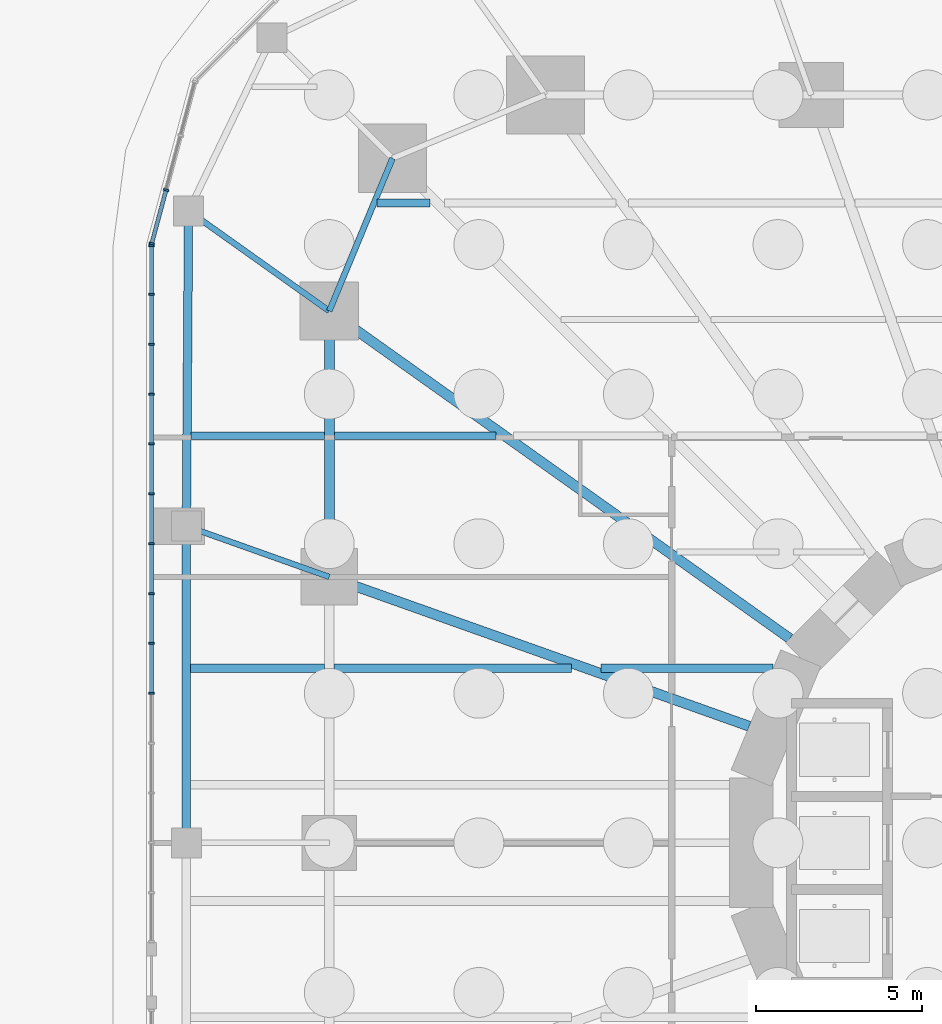
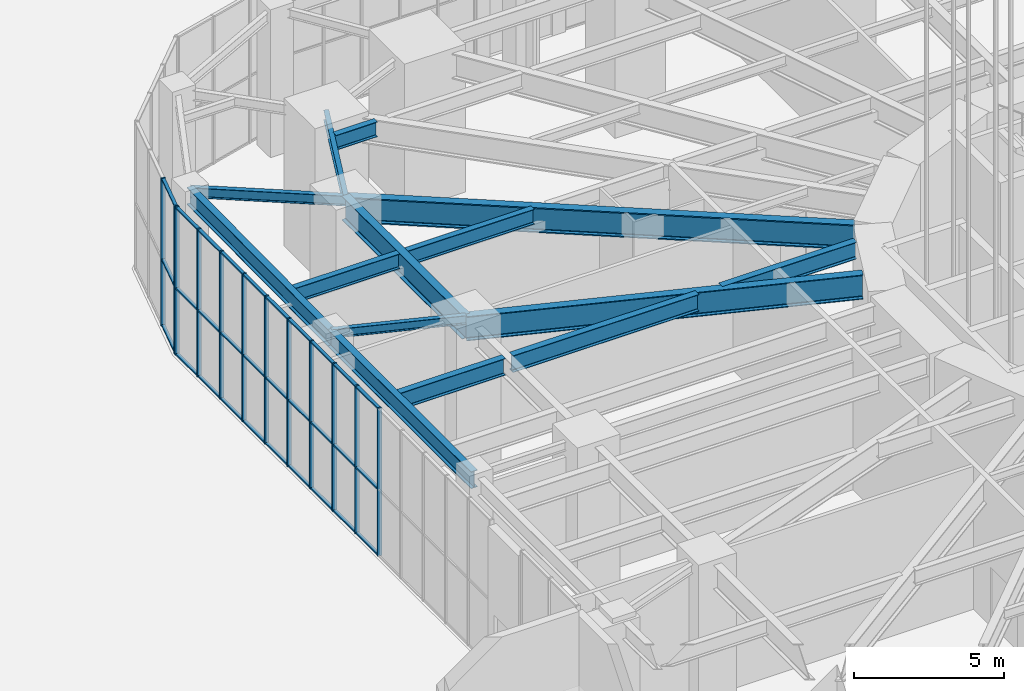
# One storey, part 12 of 43: 42 members, 14 beams, 2 elements without a shape of their own.
"""IFC4 building model written with IfcOpenShell, lengths in metres."""

import ifcopenshell
import ifcopenshell.guid

model = None  # the IFC model being written
_history = None  # IfcOwnerHistory: only IFC2X3 demands one
_inside = {}  # id of a spatial element -> (the spatial element, [elements in it])
_under = {}  # id of a project, library or spatial element -> (it, [spatial elements below it])
_declared = {}  # id of a project -> (the project, [libraries it declares])
_typed = {}  # id of a type object -> (the type object, [elements of that type])
_made_of = {}  # id of a material, layer set ... -> (it, [elements and type objects made of it])


def new_model(schema):
    """Start an empty IFC model of exactly this schema.

    Asked for "IFC4X3", IfcOpenShell would pick the latest addendum, in which some entities
    have other attributes; the version numbers below select the first issue.
    IFC2X3 requires an IfcOwnerHistory on every rooted entity: one is made here for all.
    """
    global model, _history
    if schema == "IFC4X3":
        model = ifcopenshell.file(schema_version=(4, 3, 0, 0))
    else:
        model = ifcopenshell.file(schema=schema)
    _inside.clear()
    _under.clear()
    _declared.clear()
    _typed.clear()
    _made_of.clear()
    _history = None
    if model.schema == "IFC2X3":
        org = make("IfcOrganization", Name="unknown")
        user = make(
            "IfcPersonAndOrganization",
            ThePerson=make("IfcPerson", FamilyName="unknown"),
            TheOrganization=org,
        )
        app = make(
            "IfcApplication",
            ApplicationDeveloper=org,
            Version="unknown",
            ApplicationFullName="unknown",
            ApplicationIdentifier="unknown",
        )
        _history = make(
            "IfcOwnerHistory",
            OwningUser=user,
            OwningApplication=app,
            ChangeAction="ADDED",
            CreationDate=0,
        )
    return model


def make(cls, **values):
    """One entity of the class cls with the attributes given. An attribute that is None is left unset."""
    return model.create_entity(
        cls, **{name: value for name, value in values.items() if value is not None}
    )


def rooted(cls, **values):
    """An entity with a GlobalId (a new one), such as an element, a storey or a relation."""
    return make(cls, GlobalId=ifcopenshell.guid.new(), OwnerHistory=_history, **values)


def si_unit(unit_type, name, prefix=None):
    """IfcSIUnit, for example si_unit("LENGTHUNIT", "METRE", prefix="MILLI")."""
    return make("IfcSIUnit", UnitType=unit_type, Prefix=prefix, Name=name)


def assignment(units):
    """IfcUnitAssignment: the units of a project."""
    return None if units is None else make("IfcUnitAssignment", Units=units)


def point(xyz):
    """IfcCartesianPoint."""
    return None if xyz is None else make("IfcCartesianPoint", Coordinates=xyz)


def direction(xyz):
    """IfcDirection."""
    return None if xyz is None else make("IfcDirection", DirectionRatios=xyz)


def frame(location, z_axis=None, x_axis=None):
    """IfcAxis2Placement3D, a coordinate frame: its origin and axes. An axis left out is left unset."""
    return make(
        "IfcAxis2Placement3D",
        Location=point(location),
        Axis=direction(z_axis),
        RefDirection=direction(x_axis),
    )


def frame_2d(location, x_axis=None):
    """IfcAxis2Placement2D, a coordinate frame in the plane: its origin and x axis."""
    return make(
        "IfcAxis2Placement2D", Location=point(location), RefDirection=direction(x_axis)
    )


def origin():
    """The frame at (0, 0, 0) with its axes left unset."""
    return frame((0.0, 0.0, 0.0))


def origin_2d():
    """The frame at (0, 0) in the plane with its x axis left unset."""
    return frame_2d((0.0, 0.0))


def place(relative_to, where):
    """IfcLocalPlacement: puts the frame where relative to a parent placement (None: the world)."""
    return make(
        "IfcLocalPlacement", PlacementRelTo=relative_to, RelativePlacement=where
    )


def context(
    kind, dimensions, precision=None, world=None, true_north=None, identifier=None
):
    """IfcGeometricRepresentationContext, for example the 3D "Model" context."""
    return make(
        "IfcGeometricRepresentationContext",
        ContextIdentifier=identifier,
        ContextType=kind,
        CoordinateSpaceDimension=dimensions,
        Precision=precision,
        WorldCoordinateSystem=world,
        TrueNorth=true_north,
    )


def subcontext(parent, identifier, kind, view, scale=None):
    """IfcGeometricRepresentationSubContext, for example "Body" below "Model"."""
    return make(
        "IfcGeometricRepresentationSubContext",
        ContextIdentifier=identifier,
        ContextType=kind,
        ParentContext=parent,
        TargetScale=scale,
        TargetView=view,
    )


def project(units=None, contexts=None):
    """IfcProject with its units and contexts."""
    return rooted(
        "IfcProject",
        Name="project",
        RepresentationContexts=contexts,
        UnitsInContext=assignment(units),
    )


def spatial(cls, under=None, at=None, **own):
    """A site, building, storey or space (cls), placed at a placement, below another one or the project."""
    s = rooted(cls, ObjectPlacement=at, **own)
    if under is not None:
        _under.setdefault(under.id(), (under, []))[1].append(s)
    return s


def profile(cls, at=None, kind="AREA", **sizes):
    """A parametric profile (cls). Its sizes go by their IFC names, for example OverallWidth=200.0."""
    return make(cls, ProfileType=kind, Position=at, **sizes)


def rectangle(**sizes):
    """IfcRectangleProfileDef."""
    return profile("IfcRectangleProfileDef", **sizes)


def i_section(**sizes):
    """IfcIShapeProfileDef."""
    return profile("IfcIShapeProfileDef", **sizes)


def extrude(swept, where, along, depth):
    """IfcExtrudedAreaSolid: the profile swept, set in the frame where, extruded along a direction by depth."""
    return make(
        "IfcExtrudedAreaSolid",
        SweptArea=swept,
        Position=where,
        ExtrudedDirection=direction(along),
        Depth=depth,
    )


def shape(context_of_items, identifier, shape_type, items):
    """IfcShapeRepresentation: the items that make up one representation, for example the "Body"."""
    return make(
        "IfcShapeRepresentation",
        ContextOfItems=context_of_items,
        RepresentationIdentifier=identifier,
        RepresentationType=shape_type,
        Items=items,
    )


def material(Name=None, Category=None):
    """IfcMaterial."""
    return make("IfcMaterial", Name=Name, Category=Category)


def material_profile(
    of_material, cross_section, Name=None, Category=None, Priority=None
):
    """IfcMaterialProfile: a cross section and its material."""
    return make(
        "IfcMaterialProfile",
        Name=Name,
        Material=of_material,
        Profile=cross_section,
        Priority=Priority,
        Category=Category,
    )


def profile_set(profiles, Name=None, composite=None):
    """IfcMaterialProfileSet."""
    return make(
        "IfcMaterialProfileSet",
        Name=Name,
        MaterialProfiles=profiles,
        CompositeProfile=composite,
    )


def made_of(thing, what):
    """Note that an element or type object is made of a material, layer set ...; save() writes the relation."""
    if what is not None:
        _made_of.setdefault(what.id(), (what, []))[1].append(thing)
    return thing


def type_object(cls, material=None, **own):
    """A type object (cls), such as IfcWallType, which elements share."""
    return made_of(rooted(cls, **own), material)


def element(
    cls,
    number,
    at=None,
    inside=None,
    cuts=None,
    type_object=None,
    material=None,
    context=None,
    identifier="Body",
    shape_type=None,
    held_by="IfcProductDefinitionShape",
    body=None,
    shapes=None,
    **own,
):
    """One element of the class cls, such as IfcWall. Its Tag is "e" and its number.

    at: its placement. inside: the storey or other place that contains it. cuts: it is an
    opening in that element (IfcRelVoidsElement). A single representation is given by context,
    identifier, shape_type and body (its items); several are given by shapes. held_by: the class
    of the entity that holds the representations. save() writes the other relations.
    """
    e = rooted(cls, Tag="e%d" % number, ObjectPlacement=at, **own)
    if body is not None:
        shapes = [shape(context, identifier, shape_type, body)]
    if shapes is not None:
        e.Representation = make(held_by, Representations=shapes)
    if inside is not None:
        _inside.setdefault(inside.id(), (inside, []))[1].append(e)
    if cuts is not None:
        rooted(
            "IfcRelVoidsElement", RelatingBuildingElement=cuts, RelatedOpeningElement=e
        )
    if type_object is not None:
        _typed.setdefault(type_object.id(), (type_object, []))[1].append(e)
    return made_of(e, material)


def aggregate(whole, parts):
    """IfcRelAggregates: a whole, such as a stair, and the parts it consists of."""
    return rooted("IfcRelAggregates", RelatingObject=whole, RelatedObjects=parts)


def save(model, path):
    """Write the relations noted so far, then the file.

    IfcRelAggregates (storeys below a building ...), IfcRelContainedInSpatialStructure (elements
    in a storey), IfcRelDefinesByType, IfcRelAssociatesMaterial and IfcRelDeclares: one each for
    every whole, place, type object, material and project.
    """
    for whole, parts in _under.values():
        aggregate(whole, parts)
    for where, things in _inside.values():
        rooted(
            "IfcRelContainedInSpatialStructure",
            RelatedElements=things,
            RelatingStructure=where,
        )
    for kind, things in _typed.values():
        rooted("IfcRelDefinesByType", RelatedObjects=things, RelatingType=kind)
    for what, things in _made_of.values():
        rooted("IfcRelAssociatesMaterial", RelatedObjects=things, RelatingMaterial=what)
    for by, libraries in _declared.values():
        rooted("IfcRelDeclares", RelatingContext=by, RelatedDefinitions=libraries)
    model.write(path)


model = new_model("IFC4")

# Units and contexts
model_context = context("Model", 3, precision=1e-05, world=origin(), true_north=direction((0.0, 1.0)))
body_context = subcontext(model_context, "Body", "Model", "MODEL_VIEW")
ifc_project = project(units=[si_unit("LENGTHUNIT", "METRE"), si_unit("AREAUNIT", "SQUARE_METRE"), si_unit("VOLUMEUNIT", "CUBIC_METRE"), si_unit("PLANEANGLEUNIT", "RADIAN"), si_unit("MASSUNIT", "GRAM", prefix="KILO")], contexts=[model_context])

# Site, building, storey
site_placement = place(None, origin())
site = spatial("IfcSite", under=ifc_project, at=site_placement, CompositionType="ELEMENT")
building_placement = place(site_placement, origin())
building = spatial("IfcBuilding", under=site, at=building_placement, Name="Nakasero Lantern House", CompositionType="ELEMENT")
storey_placement = place(building_placement, origin())
storey = spatial("IfcBuildingStorey", under=building, at=storey_placement, Name="L00", CompositionType="ELEMENT", Elevation=0.0)

# Beams
ifc_material_1 = material(Name="Steel S355", Category="steel")
ifc_material_profile_1 = material_profile(ifc_material_1, i_section(OverallWidth=0.22900390625, OverallDepth=0.6123046875, WebThickness=0.011962890625, FlangeThickness=0.01953125, FilletRadius=0.0126953125, at=origin_2d()), Name="UB 610x229x125")
ifc_profile_set_1 = profile_set([ifc_material_profile_1], Name="Steel S355")
beam_type_1 = type_object("IfcBeamType", Name="Infill beam UB 610x229x125", PredefinedType="JOIST", material=ifc_profile_set_1)
beam_1_placement = place(storey_placement, frame((-26.653076171875, 12.25, 5.493896484375), z_axis=(1.0, 0.0, 0.0), x_axis=(0.0, 1.0, 0.0)))
element("IfcBeam", 1, at=beam_1_placement, inside=storey, type_object=beam_type_1, Name="Infill beam L01 12.1", PredefinedType="JOIST", context=body_context, shape_type="SweptSolid", body=[
    extrude(i_section(OverallWidth=0.22900390625, OverallDepth=0.6123046875, WebThickness=0.011962890625, FlangeThickness=0.01953125, FilletRadius=0.0126953125, at=origin_2d()), origin(), (0.0, 0.0, 1.0), 4.003173828125),
])
beam_2_placement = place(storey_placement, frame((-22.35009765625, 12.25, 5.493896484375), z_axis=(1.0, 0.0, 0.0), x_axis=(0.0, 1.0, 0.0)))
element("IfcBeam", 2, at=beam_2_placement, inside=storey, type_object=beam_type_1, Name="Infill beam L01 12.2", PredefinedType="JOIST", context=body_context, shape_type="SweptSolid", body=[
    extrude(i_section(OverallWidth=0.22900390625, OverallDepth=0.6123046875, WebThickness=0.011962890625, FlangeThickness=0.01953125, FilletRadius=0.0126953125, at=origin_2d()), origin(), (0.0, 0.0, 1.0), 4.862060546875),
])
beam_3_placement = place(storey_placement, frame((-21.0576171875, 19.25, 5.493896484375), z_axis=(1.0, 0.0, 0.0), x_axis=(0.0, 1.0, 0.0)))
element("IfcBeam", 3, at=beam_3_placement, inside=storey, type_object=beam_type_1, Name="Infill beam L01 14.1", PredefinedType="JOIST", context=body_context, shape_type="SweptSolid", body=[
    extrude(i_section(OverallWidth=0.22900390625, OverallDepth=0.6123046875, WebThickness=0.011962890625, FlangeThickness=0.01953125, FilletRadius=0.0126953125, at=origin_2d()), origin(), (0.0, 0.0, 1.0), 1.591552734375),
])
ifc_material_2 = material(Name="Steel S355", Category="steel")
ifc_material_profile_2 = material_profile(ifc_material_2, i_section(OverallWidth=0.253662109375, OverallDepth=0.68359375, WebThickness=0.012451171875, FlangeThickness=0.01904296875, FilletRadius=0.01513671875, at=origin_2d()), Name="UB 686x254x140")
ifc_profile_set_2 = profile_set([ifc_material_profile_2], Name="Steel S355")
beam_type_2 = type_object("IfcBeamType", Name="Infill beam UB 686x254x140", PredefinedType="JOIST", material=ifc_profile_set_2)
beam_4_placement = place(storey_placement, frame((-26.672119140625, 5.25, 5.458251953125), z_axis=(1.0, 0.0, 0.0), x_axis=(0.0, 1.0, 0.0)))
element("IfcBeam", 4, at=beam_4_placement, inside=storey, type_object=beam_type_2, Name="Infill beam L01 10.1", PredefinedType="JOIST", context=body_context, shape_type="SweptSolid", body=[
    extrude(i_section(OverallWidth=0.253662109375, OverallDepth=0.68359375, WebThickness=0.012451171875, FlangeThickness=0.01904296875, FilletRadius=0.01513671875, at=origin_2d()), origin(), (0.0, 0.0, 1.0), 4.02587890625),
])
beam_5_placement = place(storey_placement, frame((-22.353759765625, 5.25, 5.458251953125), z_axis=(1.0, 0.0, 0.0), x_axis=(0.0, 1.0, 0.0)))
element("IfcBeam", 5, at=beam_5_placement, inside=storey, type_object=beam_type_2, Name="Infill beam L01 10.2", PredefinedType="JOIST", context=body_context, shape_type="SweptSolid", body=[
    extrude(i_section(OverallWidth=0.253662109375, OverallDepth=0.68359375, WebThickness=0.012451171875, FlangeThickness=0.01904296875, FilletRadius=0.01513671875, at=origin_2d()), origin(), (0.0, 0.0, 1.0), 7.140380859375),
])
beam_6_placement = place(storey_placement, frame((-14.31787109375, 5.25, 5.458251953125), z_axis=(1.0, 0.0, 0.0), x_axis=(0.0, 1.0, 0.0)))
element("IfcBeam", 6, at=beam_6_placement, inside=storey, type_object=beam_type_2, Name="Infill beam L01 10.3", PredefinedType="JOIST", context=body_context, shape_type="SweptSolid", body=[
    extrude(i_section(OverallWidth=0.253662109375, OverallDepth=0.68359375, WebThickness=0.012451171875, FlangeThickness=0.01904296875, FilletRadius=0.01513671875, at=origin_2d()), origin(), (0.0, 0.0, 1.0), 5.173095703125),
])

# Curtain wall, members
ifc_material_3 = material(Name="Aluminium 6063-T6 and glass", Category="aluminium")
curtain_wall_type = type_object("IfcCurtainWallType", Name="Podium shopfront glazing CW-1", PredefinedType="USERDEFINED", material=ifc_material_3)
curtain_wall_1_placement = place(storey_placement, origin())
curtain_wall_1 = element("IfcCurtainWall", 7, at=curtain_wall_1_placement, inside=storey, type_object=curtain_wall_type, Name="Curtain wall CW-1 L00", ObjectType="STICK CURTAIN WALL", PredefinedType="USERDEFINED")
ifc_material_4 = material(Name="Aluminium 6063-T6", Category="aluminium")
ifc_material_profile_3 = material_profile(ifc_material_4, rectangle(XDim=0.06005859375, YDim=0.159912109375, at=origin_2d()), Name="CW-1 mullion 60x160")
ifc_profile_set_3 = profile_set([ifc_material_profile_3], Name="Aluminium 6063-T6")
member_type_1 = type_object("IfcMemberType", Name="Mullion CW-1", PredefinedType="MULLION", material=ifc_profile_set_3)
member_1_placement = place(storey_placement, frame((-27.41015625, 19.6416015625, 0.0), z_axis=(0.0, 0.0, 1.0), x_axis=(-0.258819045103, -0.965925826289, 0.0)))
member_1 = element("IfcMember", 8, at=member_1_placement, type_object=member_type_1, Name="CW-1 mullion 3", PredefinedType="MULLION", context=body_context, shape_type="SweptSolid", body=[
    extrude(rectangle(XDim=0.06005859375, YDim=0.159912109375, at=origin_2d()), origin(), (0.0, 0.0, 1.0), 6.0),
])
member_2_placement = place(storey_placement, frame((-27.84228515625, 18.029052734375, 0.0), z_axis=(0.0, 0.0, 1.0), x_axis=(-0.258819045103, -0.965925826289, 0.0)))
member_2 = element("IfcMember", 9, at=member_2_placement, type_object=member_type_1, Name="CW-1 mullion 4", PredefinedType="MULLION", context=body_context, shape_type="SweptSolid", body=[
    extrude(rectangle(XDim=0.06005859375, YDim=0.159912109375, at=origin_2d()), origin(), (0.0, 0.0, 1.0), 6.0),
])

curtain_wall_2_placement = place(storey_placement, origin())
curtain_wall_2 = element("IfcCurtainWall", 10, at=curtain_wall_2_placement, inside=storey, type_object=curtain_wall_type, Name="Curtain wall CW-1 L00", ObjectType="STICK CURTAIN WALL", PredefinedType="USERDEFINED")
member_3_placement = place(storey_placement, frame((-27.85009765625, 17.969970703125, 0.0), z_axis=(0.0, 0.0, 1.0), x_axis=(0.0, -1.0, 0.0)))
member_3 = element("IfcMember", 11, at=member_3_placement, type_object=member_type_1, Name="CW-1 mullion 1", PredefinedType="MULLION", context=body_context, shape_type="SweptSolid", body=[
    extrude(rectangle(XDim=0.06005859375, YDim=0.159912109375, at=origin_2d()), origin(), (0.0, 0.0, 1.0), 6.0),
])
member_4_placement = place(storey_placement, frame((-27.85009765625, 16.5, 0.0), z_axis=(0.0, 0.0, 1.0), x_axis=(0.0, -1.0, 0.0)))
member_4 = element("IfcMember", 12, at=member_4_placement, type_object=member_type_1, Name="CW-1 mullion 2", PredefinedType="MULLION", context=body_context, shape_type="SweptSolid", body=[
    extrude(rectangle(XDim=0.06005859375, YDim=0.159912109375, at=origin_2d()), origin(), (0.0, 0.0, 1.0), 6.0),
])
member_5_placement = place(storey_placement, frame((-27.85009765625, 15.0, 0.0), z_axis=(0.0, 0.0, 1.0), x_axis=(0.0, -1.0, 0.0)))
member_5 = element("IfcMember", 13, at=member_5_placement, type_object=member_type_1, Name="CW-1 mullion 3", PredefinedType="MULLION", context=body_context, shape_type="SweptSolid", body=[
    extrude(rectangle(XDim=0.06005859375, YDim=0.159912109375, at=origin_2d()), origin(), (0.0, 0.0, 1.0), 6.0),
])
member_6_placement = place(storey_placement, frame((-27.85009765625, 13.5, 0.0), z_axis=(0.0, 0.0, 1.0), x_axis=(0.0, -1.0, 0.0)))
member_6 = element("IfcMember", 14, at=member_6_placement, type_object=member_type_1, Name="CW-1 mullion 4", PredefinedType="MULLION", context=body_context, shape_type="SweptSolid", body=[
    extrude(rectangle(XDim=0.06005859375, YDim=0.159912109375, at=origin_2d()), origin(), (0.0, 0.0, 1.0), 6.0),
])
member_7_placement = place(storey_placement, frame((-27.85009765625, 12.0, 0.0), z_axis=(0.0, 0.0, 1.0), x_axis=(0.0, -1.0, 0.0)))
member_7 = element("IfcMember", 15, at=member_7_placement, type_object=member_type_1, Name="CW-1 mullion 5", PredefinedType="MULLION", context=body_context, shape_type="SweptSolid", body=[
    extrude(rectangle(XDim=0.06005859375, YDim=0.159912109375, at=origin_2d()), origin(), (0.0, 0.0, 1.0), 6.0),
])
member_8_placement = place(storey_placement, frame((-27.85009765625, 10.5, 0.0), z_axis=(0.0, 0.0, 1.0), x_axis=(0.0, -1.0, 0.0)))
member_8 = element("IfcMember", 16, at=member_8_placement, type_object=member_type_1, Name="CW-1 mullion 6", PredefinedType="MULLION", context=body_context, shape_type="SweptSolid", body=[
    extrude(rectangle(XDim=0.06005859375, YDim=0.159912109375, at=origin_2d()), origin(), (0.0, 0.0, 1.0), 6.0),
])
member_9_placement = place(storey_placement, frame((-27.85009765625, 9.0, 0.0), z_axis=(0.0, 0.0, 1.0), x_axis=(0.0, -1.0, 0.0)))
member_9 = element("IfcMember", 17, at=member_9_placement, type_object=member_type_1, Name="CW-1 mullion 7", PredefinedType="MULLION", context=body_context, shape_type="SweptSolid", body=[
    extrude(rectangle(XDim=0.06005859375, YDim=0.159912109375, at=origin_2d()), origin(), (0.0, 0.0, 1.0), 6.0),
])
member_10_placement = place(storey_placement, frame((-27.85009765625, 7.5, 0.0), z_axis=(0.0, 0.0, 1.0), x_axis=(0.0, -1.0, 0.0)))
member_10 = element("IfcMember", 18, at=member_10_placement, type_object=member_type_1, Name="CW-1 mullion 8", PredefinedType="MULLION", context=body_context, shape_type="SweptSolid", body=[
    extrude(rectangle(XDim=0.06005859375, YDim=0.159912109375, at=origin_2d()), origin(), (0.0, 0.0, 1.0), 6.0),
])
member_11_placement = place(storey_placement, frame((-27.85009765625, 6.0, 0.0), z_axis=(0.0, 0.0, 1.0), x_axis=(0.0, -1.0, 0.0)))
member_11 = element("IfcMember", 19, at=member_11_placement, type_object=member_type_1, Name="CW-1 mullion 9", PredefinedType="MULLION", context=body_context, shape_type="SweptSolid", body=[
    extrude(rectangle(XDim=0.06005859375, YDim=0.159912109375, at=origin_2d()), origin(), (0.0, 0.0, 1.0), 6.0),
])
member_12_placement = place(storey_placement, frame((-27.85009765625, 4.5, 0.0), z_axis=(0.0, 0.0, 1.0), x_axis=(0.0, -1.0, 0.0)))
member_12 = element("IfcMember", 20, at=member_12_placement, type_object=member_type_1, Name="CW-1 mullion 10", PredefinedType="MULLION", context=body_context, shape_type="SweptSolid", body=[
    extrude(rectangle(XDim=0.06005859375, YDim=0.159912109375, at=origin_2d()), origin(), (0.0, 0.0, 1.0), 6.0),
])

# Beams
ifc_material_5 = material(Name="Steel S355", Category="steel")
ifc_material_profile_4 = material_profile(ifc_material_5, i_section(OverallWidth=0.300048828125, OverallDepth=0.989990234375, WebThickness=0.0166015625, FlangeThickness=0.031005859375, FilletRadius=0.030029296875, at=origin_2d()), Name="UB 1016x305x272")
ifc_profile_set_4 = profile_set([ifc_material_profile_4], Name="Steel S355")
beam_type_3 = type_object("IfcBeamType", Name="Primary beam UB 1016x305x272, span 12 to 15 m", PredefinedType="BEAM", material=ifc_profile_set_4)
beam_7_placement = place(storey_placement, frame((-22.5, 8.0, 5.304931640625), z_axis=(0.942214307118, -0.335010745293, 0.0), x_axis=(0.335010745293, 0.942214307118, 0.0)))
element("IfcBeam", 21, at=beam_7_placement, inside=storey, type_object=beam_type_3, Name="Primary beam L01 B1-C14", PredefinedType="BEAM", context=body_context, shape_type="SweptSolid", body=[
    extrude(i_section(OverallWidth=0.300048828125, OverallDepth=0.989990234375, WebThickness=0.0166015625, FlangeThickness=0.031005859375, FilletRadius=0.030029296875, at=origin_2d()), origin(), (0.0, 0.0, 1.0), 13.408447265625),
])
ifc_material_6 = material(Name="Steel S355", Category="steel")
ifc_material_profile_5 = material_profile(ifc_material_6, i_section(OverallWidth=0.302978515625, OverallDepth=1.015869140625, WebThickness=0.0244140625, FlangeThickness=0.0439453125, FilletRadius=0.030029296875, at=origin_2d()), Name="UB 1016x305x393")
ifc_profile_set_5 = profile_set([ifc_material_profile_5], Name="Steel S355")
beam_type_4 = type_object("IfcBeamType", Name="Primary beam UB 1016x305x393, span over 15 m", PredefinedType="BEAM", material=ifc_profile_set_5)
beam_8_placement = place(storey_placement, frame((-22.5, 16.0, 5.2919921875), z_axis=(0.814952159915, -0.579528236629, 0.0), x_axis=(0.579528236629, 0.814952159915, 0.0)))
element("IfcBeam", 22, at=beam_8_placement, inside=storey, type_object=beam_type_4, Name="Primary beam L01 B1-C13", PredefinedType="BEAM", context=body_context, shape_type="SweptSolid", body=[
    extrude(i_section(OverallWidth=0.302978515625, OverallDepth=1.015869140625, WebThickness=0.0244140625, FlangeThickness=0.0439453125, FilletRadius=0.030029296875, at=origin_2d()), origin(), (0.0, 0.0, 1.0), 17.003173828125),
])
ifc_material_7 = material(Name="Steel S355", Category="steel")
ifc_material_profile_6 = material_profile(ifc_material_7, i_section(OverallWidth=0.17138671875, OverallDepth=0.35498046875, WebThickness=0.00732421875, FlangeThickness=0.011474609375, FilletRadius=0.01025390625, at=origin_2d()), Name="UB 356x171x51")
ifc_profile_set_6 = profile_set([ifc_material_profile_6], Name="Steel S355")
beam_type_5 = type_object("IfcBeamType", Name="Primary beam UB 356x171x51, span to 6 m", PredefinedType="BEAM", material=ifc_profile_set_6)
beam_9_placement = place(storey_placement, frame((-26.800048828125, 9.52880859375, 5.62255859375), z_axis=(0.942221444489, -0.334990670833, 0.0), x_axis=(0.334990670833, 0.942221444489, 0.0)))
element("IfcBeam", 23, at=beam_9_placement, inside=storey, type_object=beam_type_5, Name="Primary beam L01 POD-C14", PredefinedType="BEAM", context=body_context, shape_type="SweptSolid", body=[
    extrude(i_section(OverallWidth=0.17138671875, OverallDepth=0.35498046875, WebThickness=0.00732421875, FlangeThickness=0.011474609375, FilletRadius=0.01025390625, at=origin_2d()), origin(), (0.0, 0.0, 1.0), 4.563720703125),
])
ifc_material_8 = material(Name="Steel S355", Category="steel")
ifc_material_profile_7 = material_profile(ifc_material_8, i_section(OverallWidth=0.177978515625, OverallDepth=0.406494140625, WebThickness=0.0078125, FlangeThickness=0.0126953125, FilletRadius=0.01025390625, at=origin_2d()), Name="UB 406x178x60")
ifc_profile_set_7 = profile_set([ifc_material_profile_7], Name="Steel S355")
beam_type_6 = type_object("IfcBeamType", Name="Primary beam UB 406x178x60, span to 6 m", PredefinedType="BEAM", material=ifc_profile_set_7)
beam_10_placement = place(storey_placement, frame((-26.733642578125, 19.0107421875, 5.5966796875), z_axis=(0.814941514044, -0.57954320692, 0.0), x_axis=(0.57954320692, 0.814941514044, 0.0)))
element("IfcBeam", 24, at=beam_10_placement, inside=storey, type_object=beam_type_6, Name="Primary beam L01 POD-C13", PredefinedType="BEAM", context=body_context, shape_type="SweptSolid", body=[
    extrude(i_section(OverallWidth=0.177978515625, OverallDepth=0.406494140625, WebThickness=0.0078125, FlangeThickness=0.0126953125, FilletRadius=0.01025390625, at=origin_2d()), origin(), (0.0, 0.0, 1.0), 5.195068359375),
])
ifc_material_9 = material(Name="Steel S355", Category="steel")
ifc_material_profile_8 = material_profile(ifc_material_9, i_section(OverallWidth=0.300048828125, OverallDepth=0.97021484375, WebThickness=0.01611328125, FlangeThickness=0.02099609375, FilletRadius=0.030029296875, at=origin_2d()), Name="UB 1016x305x222")
ifc_profile_set_8 = profile_set([ifc_material_profile_8], Name="Steel S355")
beam_type_7 = type_object("IfcBeamType", Name="Ring beam UB 1016x305x222", PredefinedType="BEAM", material=ifc_profile_set_8)
beam_11_placement = place(storey_placement, frame((-22.5, 16.0, 5.31494140625), z_axis=(0.0, -1.0, 0.0), x_axis=(1.0, 0.0, 0.0)))
element("IfcBeam", 25, at=beam_11_placement, inside=storey, type_object=beam_type_7, Name="Ring beam L01 B1-C13", PredefinedType="BEAM", context=body_context, shape_type="SweptSolid", body=[
    extrude(i_section(OverallWidth=0.300048828125, OverallDepth=0.97021484375, WebThickness=0.01611328125, FlangeThickness=0.02099609375, FilletRadius=0.030029296875, at=origin_2d()), origin(), (0.0, 0.0, 1.0), 8.0),
])
ifc_material_10 = material(Name="Steel S355", Category="steel")
ifc_material_profile_9 = material_profile(ifc_material_10, i_section(OverallWidth=0.177978515625, OverallDepth=0.406494140625, WebThickness=0.0078125, FlangeThickness=0.0126953125, FilletRadius=0.01025390625, at=origin_2d()), Name="UB 406x178x60")
ifc_profile_set_9 = profile_set([ifc_material_profile_9], Name="Steel S355")
beam_type_8 = type_object("IfcBeamType", Name="Ring beam UB 406x178x60", PredefinedType="BEAM", material=ifc_profile_set_9)
beam_12_placement = place(storey_placement, frame((-20.59619140625, 20.59619140625, 5.5966796875), z_axis=(-0.382684080569, -0.923879264016, 0.0), x_axis=(0.923879264016, -0.382684080569, 0.0)))
element("IfcBeam", 26, at=beam_12_placement, inside=storey, type_object=beam_type_8, Name="Ring beam L01 B1-C12", PredefinedType="BEAM", context=body_context, shape_type="SweptSolid", body=[
    extrude(i_section(OverallWidth=0.177978515625, OverallDepth=0.406494140625, WebThickness=0.0078125, FlangeThickness=0.0126953125, FilletRadius=0.01025390625, at=origin_2d()), origin(), (0.0, 0.0, 1.0), 4.974853515625),
])
ifc_material_11 = material(Name="Steel S355", Category="steel")
ifc_material_profile_10 = material_profile(ifc_material_11, i_section(OverallWidth=0.255859375, OverallDepth=0.69287109375, WebThickness=0.014404296875, FlangeThickness=0.023681640625, FilletRadius=0.01513671875, at=origin_2d()), Name="UB 686x254x170")
ifc_profile_set_10 = profile_set([ifc_material_profile_10], Name="Steel S355")
beam_type_9 = type_object("IfcBeamType", Name="Ring beam UB 686x254x170", PredefinedType="BEAM", material=ifc_profile_set_10)
beam_13_placement = place(storey_placement, frame((-26.733642578125, 19.0107421875, 5.45361328125), z_axis=(-0.007003278482, -0.999975476745, 0.0), x_axis=(0.999975476745, -0.007003278482, 0.0)))
element("IfcBeam", 27, at=beam_13_placement, inside=storey, type_object=beam_type_9, Name="Ring beam L01 POD-C13", PredefinedType="BEAM", context=body_context, shape_type="SweptSolid", body=[
    extrude(i_section(OverallWidth=0.255859375, OverallDepth=0.69287109375, WebThickness=0.014404296875, FlangeThickness=0.023681640625, FilletRadius=0.01513671875, at=origin_2d()), origin(), (0.0, 0.0, 1.0), 9.482177734375),
])
beam_14_placement = place(storey_placement, frame((-26.800048828125, 9.52880859375, 5.45361328125), z_axis=(0.0, -1.0, 0.0), x_axis=(1.0, 0.0, 0.0)))
element("IfcBeam", 28, at=beam_14_placement, inside=storey, type_object=beam_type_9, Name="Ring beam L01 POD-C14", PredefinedType="BEAM", context=body_context, shape_type="SweptSolid", body=[
    extrude(i_section(OverallWidth=0.255859375, OverallDepth=0.69287109375, WebThickness=0.014404296875, FlangeThickness=0.023681640625, FilletRadius=0.01513671875, at=origin_2d()), origin(), (0.0, 0.0, 1.0), 9.52880859375),
])

# Member
ifc_material_12 = material(Name="Aluminium 6063-T6", Category="aluminium")
ifc_material_profile_11 = material_profile(ifc_material_12, rectangle(XDim=0.06005859375, YDim=0.1201171875, at=origin_2d()), Name="CW-1 transom 60x120")
ifc_profile_set_11 = profile_set([ifc_material_profile_11], Name="Aluminium 6063-T6")
member_type_2 = type_object("IfcMemberType", Name="Transom CW-1", PredefinedType="USERDEFINED", material=ifc_profile_set_11)
member_13_placement = place(storey_placement, frame((-27.41796875, 19.61279296875, 0.030029296875), z_axis=(-0.258738612203, -0.96594737463, 0.0), x_axis=(0.0, 0.0, 1.0)))
member_13 = element("IfcMember", 29, at=member_13_placement, type_object=member_type_2, Name="CW-1 transom 3.1", ObjectType="TRANSOM", PredefinedType="USERDEFINED", context=body_context, shape_type="SweptSolid", body=[
    extrude(rectangle(XDim=0.06005859375, YDim=0.1201171875, at=origin_2d()), origin(), (0.0, 0.0, 1.0), 1.60986328125),
])

member_14_placement = place(storey_placement, frame((-27.41796875, 19.61279296875, 2.699951171875), z_axis=(-0.258738612203, -0.96594737463, 0.0), x_axis=(0.0, 0.0, 1.0)))
member_14 = element("IfcMember", 30, at=member_14_placement, type_object=member_type_2, Name="CW-1 transom 3.2", ObjectType="TRANSOM", PredefinedType="USERDEFINED", context=body_context, shape_type="SweptSolid", body=[
    extrude(rectangle(XDim=0.06005859375, YDim=0.1201171875, at=origin_2d()), origin(), (0.0, 0.0, 1.0), 1.60986328125),
])

member_15_placement = place(storey_placement, frame((-27.41796875, 19.61279296875, 5.969970703125), z_axis=(-0.258738612203, -0.96594737463, 0.0), x_axis=(0.0, 0.0, 1.0)))
member_15 = element("IfcMember", 31, at=member_15_placement, type_object=member_type_2, Name="CW-1 transom 3.3", ObjectType="TRANSOM", PredefinedType="USERDEFINED", context=body_context, shape_type="SweptSolid", body=[
    extrude(rectangle(XDim=0.06005859375, YDim=0.1201171875, at=origin_2d()), origin(), (0.0, 0.0, 1.0), 1.60986328125),
])

aggregate(curtain_wall_1, [member_1, member_2, member_13, member_14, member_15])

member_16_placement = place(storey_placement, frame((-27.85009765625, 17.93994140625, 0.030029296875), z_axis=(0.0, -1.0, 0.0), x_axis=(0.0, 0.0, 1.0)))
member_16 = element("IfcMember", 32, at=member_16_placement, type_object=member_type_2, Name="CW-1 transom 1.1", ObjectType="TRANSOM", PredefinedType="USERDEFINED", context=body_context, shape_type="SweptSolid", body=[
    extrude(rectangle(XDim=0.06005859375, YDim=0.1201171875, at=origin_2d()), origin(), (0.0, 0.0, 1.0), 1.409912109375),
])

member_17_placement = place(storey_placement, frame((-27.85009765625, 17.93994140625, 2.699951171875), z_axis=(0.0, -1.0, 0.0), x_axis=(0.0, 0.0, 1.0)))
member_17 = element("IfcMember", 33, at=member_17_placement, type_object=member_type_2, Name="CW-1 transom 1.2", ObjectType="TRANSOM", PredefinedType="USERDEFINED", context=body_context, shape_type="SweptSolid", body=[
    extrude(rectangle(XDim=0.06005859375, YDim=0.1201171875, at=origin_2d()), origin(), (0.0, 0.0, 1.0), 1.409912109375),
])

member_18_placement = place(storey_placement, frame((-27.85009765625, 17.93994140625, 5.969970703125), z_axis=(0.0, -1.0, 0.0), x_axis=(0.0, 0.0, 1.0)))
member_18 = element("IfcMember", 34, at=member_18_placement, type_object=member_type_2, Name="CW-1 transom 1.3", ObjectType="TRANSOM", PredefinedType="USERDEFINED", context=body_context, shape_type="SweptSolid", body=[
    extrude(rectangle(XDim=0.06005859375, YDim=0.1201171875, at=origin_2d()), origin(), (0.0, 0.0, 1.0), 1.409912109375),
])

member_19_placement = place(storey_placement, frame((-27.85009765625, 16.469970703125, 0.030029296875), z_axis=(0.0, -1.0, 0.0), x_axis=(0.0, 0.0, 1.0)))
member_19 = element("IfcMember", 35, at=member_19_placement, type_object=member_type_2, Name="CW-1 transom 2.1", ObjectType="TRANSOM", PredefinedType="USERDEFINED", context=body_context, shape_type="SweptSolid", body=[
    extrude(rectangle(XDim=0.06005859375, YDim=0.1201171875, at=origin_2d()), origin(), (0.0, 0.0, 1.0), 1.43994140625),
])

member_20_placement = place(storey_placement, frame((-27.85009765625, 16.469970703125, 2.699951171875), z_axis=(0.0, -1.0, 0.0), x_axis=(0.0, 0.0, 1.0)))
member_20 = element("IfcMember", 36, at=member_20_placement, type_object=member_type_2, Name="CW-1 transom 2.2", ObjectType="TRANSOM", PredefinedType="USERDEFINED", context=body_context, shape_type="SweptSolid", body=[
    extrude(rectangle(XDim=0.06005859375, YDim=0.1201171875, at=origin_2d()), origin(), (0.0, 0.0, 1.0), 1.43994140625),
])

member_21_placement = place(storey_placement, frame((-27.85009765625, 16.469970703125, 5.969970703125), z_axis=(0.0, -1.0, 0.0), x_axis=(0.0, 0.0, 1.0)))
member_21 = element("IfcMember", 37, at=member_21_placement, type_object=member_type_2, Name="CW-1 transom 2.3", ObjectType="TRANSOM", PredefinedType="USERDEFINED", context=body_context, shape_type="SweptSolid", body=[
    extrude(rectangle(XDim=0.06005859375, YDim=0.1201171875, at=origin_2d()), origin(), (0.0, 0.0, 1.0), 1.43994140625),
])

member_22_placement = place(storey_placement, frame((-27.85009765625, 14.969970703125, 0.030029296875), z_axis=(0.0, -1.0, 0.0), x_axis=(0.0, 0.0, 1.0)))
member_22 = element("IfcMember", 38, at=member_22_placement, type_object=member_type_2, Name="CW-1 transom 3.1", ObjectType="TRANSOM", PredefinedType="USERDEFINED", context=body_context, shape_type="SweptSolid", body=[
    extrude(rectangle(XDim=0.06005859375, YDim=0.1201171875, at=origin_2d()), origin(), (0.0, 0.0, 1.0), 1.43994140625),
])

member_23_placement = place(storey_placement, frame((-27.85009765625, 14.969970703125, 2.699951171875), z_axis=(0.0, -1.0, 0.0), x_axis=(0.0, 0.0, 1.0)))
member_23 = element("IfcMember", 39, at=member_23_placement, type_object=member_type_2, Name="CW-1 transom 3.2", ObjectType="TRANSOM", PredefinedType="USERDEFINED", context=body_context, shape_type="SweptSolid", body=[
    extrude(rectangle(XDim=0.06005859375, YDim=0.1201171875, at=origin_2d()), origin(), (0.0, 0.0, 1.0), 1.43994140625),
])

member_24_placement = place(storey_placement, frame((-27.85009765625, 14.969970703125, 5.969970703125), z_axis=(0.0, -1.0, 0.0), x_axis=(0.0, 0.0, 1.0)))
member_24 = element("IfcMember", 40, at=member_24_placement, type_object=member_type_2, Name="CW-1 transom 3.3", ObjectType="TRANSOM", PredefinedType="USERDEFINED", context=body_context, shape_type="SweptSolid", body=[
    extrude(rectangle(XDim=0.06005859375, YDim=0.1201171875, at=origin_2d()), origin(), (0.0, 0.0, 1.0), 1.43994140625),
])

member_25_placement = place(storey_placement, frame((-27.85009765625, 13.469970703125, 0.030029296875), z_axis=(0.0, -1.0, 0.0), x_axis=(0.0, 0.0, 1.0)))
member_25 = element("IfcMember", 41, at=member_25_placement, type_object=member_type_2, Name="CW-1 transom 4.1", ObjectType="TRANSOM", PredefinedType="USERDEFINED", context=body_context, shape_type="SweptSolid", body=[
    extrude(rectangle(XDim=0.06005859375, YDim=0.1201171875, at=origin_2d()), origin(), (0.0, 0.0, 1.0), 1.43994140625),
])

member_26_placement = place(storey_placement, frame((-27.85009765625, 13.469970703125, 2.699951171875), z_axis=(0.0, -1.0, 0.0), x_axis=(0.0, 0.0, 1.0)))
member_26 = element("IfcMember", 42, at=member_26_placement, type_object=member_type_2, Name="CW-1 transom 4.2", ObjectType="TRANSOM", PredefinedType="USERDEFINED", context=body_context, shape_type="SweptSolid", body=[
    extrude(rectangle(XDim=0.06005859375, YDim=0.1201171875, at=origin_2d()), origin(), (0.0, 0.0, 1.0), 1.43994140625),
])

member_27_placement = place(storey_placement, frame((-27.85009765625, 13.469970703125, 5.969970703125), z_axis=(0.0, -1.0, 0.0), x_axis=(0.0, 0.0, 1.0)))
member_27 = element("IfcMember", 43, at=member_27_placement, type_object=member_type_2, Name="CW-1 transom 4.3", ObjectType="TRANSOM", PredefinedType="USERDEFINED", context=body_context, shape_type="SweptSolid", body=[
    extrude(rectangle(XDim=0.06005859375, YDim=0.1201171875, at=origin_2d()), origin(), (0.0, 0.0, 1.0), 1.43994140625),
])

member_28_placement = place(storey_placement, frame((-27.85009765625, 11.969970703125, 0.030029296875), z_axis=(0.0, -1.0, 0.0), x_axis=(0.0, 0.0, 1.0)))
member_28 = element("IfcMember", 44, at=member_28_placement, type_object=member_type_2, Name="CW-1 transom 5.1", ObjectType="TRANSOM", PredefinedType="USERDEFINED", context=body_context, shape_type="SweptSolid", body=[
    extrude(rectangle(XDim=0.06005859375, YDim=0.1201171875, at=origin_2d()), origin(), (0.0, 0.0, 1.0), 1.43994140625),
])

member_29_placement = place(storey_placement, frame((-27.85009765625, 11.969970703125, 2.699951171875), z_axis=(0.0, -1.0, 0.0), x_axis=(0.0, 0.0, 1.0)))
member_29 = element("IfcMember", 45, at=member_29_placement, type_object=member_type_2, Name="CW-1 transom 5.2", ObjectType="TRANSOM", PredefinedType="USERDEFINED", context=body_context, shape_type="SweptSolid", body=[
    extrude(rectangle(XDim=0.06005859375, YDim=0.1201171875, at=origin_2d()), origin(), (0.0, 0.0, 1.0), 1.43994140625),
])

member_30_placement = place(storey_placement, frame((-27.85009765625, 11.969970703125, 5.969970703125), z_axis=(0.0, -1.0, 0.0), x_axis=(0.0, 0.0, 1.0)))
member_30 = element("IfcMember", 46, at=member_30_placement, type_object=member_type_2, Name="CW-1 transom 5.3", ObjectType="TRANSOM", PredefinedType="USERDEFINED", context=body_context, shape_type="SweptSolid", body=[
    extrude(rectangle(XDim=0.06005859375, YDim=0.1201171875, at=origin_2d()), origin(), (0.0, 0.0, 1.0), 1.43994140625),
])

member_31_placement = place(storey_placement, frame((-27.85009765625, 10.469970703125, 0.030029296875), z_axis=(0.0, -1.0, 0.0), x_axis=(0.0, 0.0, 1.0)))
member_31 = element("IfcMember", 47, at=member_31_placement, type_object=member_type_2, Name="CW-1 transom 6.1", ObjectType="TRANSOM", PredefinedType="USERDEFINED", context=body_context, shape_type="SweptSolid", body=[
    extrude(rectangle(XDim=0.06005859375, YDim=0.1201171875, at=origin_2d()), origin(), (0.0, 0.0, 1.0), 1.43994140625),
])

member_32_placement = place(storey_placement, frame((-27.85009765625, 10.469970703125, 2.699951171875), z_axis=(0.0, -1.0, 0.0), x_axis=(0.0, 0.0, 1.0)))
member_32 = element("IfcMember", 48, at=member_32_placement, type_object=member_type_2, Name="CW-1 transom 6.2", ObjectType="TRANSOM", PredefinedType="USERDEFINED", context=body_context, shape_type="SweptSolid", body=[
    extrude(rectangle(XDim=0.06005859375, YDim=0.1201171875, at=origin_2d()), origin(), (0.0, 0.0, 1.0), 1.43994140625),
])

member_33_placement = place(storey_placement, frame((-27.85009765625, 10.469970703125, 5.969970703125), z_axis=(0.0, -1.0, 0.0), x_axis=(0.0, 0.0, 1.0)))
member_33 = element("IfcMember", 49, at=member_33_placement, type_object=member_type_2, Name="CW-1 transom 6.3", ObjectType="TRANSOM", PredefinedType="USERDEFINED", context=body_context, shape_type="SweptSolid", body=[
    extrude(rectangle(XDim=0.06005859375, YDim=0.1201171875, at=origin_2d()), origin(), (0.0, 0.0, 1.0), 1.43994140625),
])

member_34_placement = place(storey_placement, frame((-27.85009765625, 8.969970703125, 0.030029296875), z_axis=(0.0, -1.0, 0.0), x_axis=(0.0, 0.0, 1.0)))
member_34 = element("IfcMember", 50, at=member_34_placement, type_object=member_type_2, Name="CW-1 transom 7.1", ObjectType="TRANSOM", PredefinedType="USERDEFINED", context=body_context, shape_type="SweptSolid", body=[
    extrude(rectangle(XDim=0.06005859375, YDim=0.1201171875, at=origin_2d()), origin(), (0.0, 0.0, 1.0), 1.43994140625),
])

member_35_placement = place(storey_placement, frame((-27.85009765625, 8.969970703125, 2.699951171875), z_axis=(0.0, -1.0, 0.0), x_axis=(0.0, 0.0, 1.0)))
member_35 = element("IfcMember", 51, at=member_35_placement, type_object=member_type_2, Name="CW-1 transom 7.2", ObjectType="TRANSOM", PredefinedType="USERDEFINED", context=body_context, shape_type="SweptSolid", body=[
    extrude(rectangle(XDim=0.06005859375, YDim=0.1201171875, at=origin_2d()), origin(), (0.0, 0.0, 1.0), 1.43994140625),
])

member_36_placement = place(storey_placement, frame((-27.85009765625, 8.969970703125, 5.969970703125), z_axis=(0.0, -1.0, 0.0), x_axis=(0.0, 0.0, 1.0)))
member_36 = element("IfcMember", 52, at=member_36_placement, type_object=member_type_2, Name="CW-1 transom 7.3", ObjectType="TRANSOM", PredefinedType="USERDEFINED", context=body_context, shape_type="SweptSolid", body=[
    extrude(rectangle(XDim=0.06005859375, YDim=0.1201171875, at=origin_2d()), origin(), (0.0, 0.0, 1.0), 1.43994140625),
])

member_37_placement = place(storey_placement, frame((-27.85009765625, 7.469970703125, 0.030029296875), z_axis=(0.0, -1.0, 0.0), x_axis=(0.0, 0.0, 1.0)))
member_37 = element("IfcMember", 53, at=member_37_placement, type_object=member_type_2, Name="CW-1 transom 8.1", ObjectType="TRANSOM", PredefinedType="USERDEFINED", context=body_context, shape_type="SweptSolid", body=[
    extrude(rectangle(XDim=0.06005859375, YDim=0.1201171875, at=origin_2d()), origin(), (0.0, 0.0, 1.0), 1.43994140625),
])

member_38_placement = place(storey_placement, frame((-27.85009765625, 7.469970703125, 2.699951171875), z_axis=(0.0, -1.0, 0.0), x_axis=(0.0, 0.0, 1.0)))
member_38 = element("IfcMember", 54, at=member_38_placement, type_object=member_type_2, Name="CW-1 transom 8.2", ObjectType="TRANSOM", PredefinedType="USERDEFINED", context=body_context, shape_type="SweptSolid", body=[
    extrude(rectangle(XDim=0.06005859375, YDim=0.1201171875, at=origin_2d()), origin(), (0.0, 0.0, 1.0), 1.43994140625),
])

member_39_placement = place(storey_placement, frame((-27.85009765625, 7.469970703125, 5.969970703125), z_axis=(0.0, -1.0, 0.0), x_axis=(0.0, 0.0, 1.0)))
member_39 = element("IfcMember", 55, at=member_39_placement, type_object=member_type_2, Name="CW-1 transom 8.3", ObjectType="TRANSOM", PredefinedType="USERDEFINED", context=body_context, shape_type="SweptSolid", body=[
    extrude(rectangle(XDim=0.06005859375, YDim=0.1201171875, at=origin_2d()), origin(), (0.0, 0.0, 1.0), 1.43994140625),
])

member_40_placement = place(storey_placement, frame((-27.85009765625, 5.969970703125, 0.030029296875), z_axis=(0.0, -1.0, 0.0), x_axis=(0.0, 0.0, 1.0)))
member_40 = element("IfcMember", 56, at=member_40_placement, type_object=member_type_2, Name="CW-1 transom 9.1", ObjectType="TRANSOM", PredefinedType="USERDEFINED", context=body_context, shape_type="SweptSolid", body=[
    extrude(rectangle(XDim=0.06005859375, YDim=0.1201171875, at=origin_2d()), origin(), (0.0, 0.0, 1.0), 1.43994140625),
])

member_41_placement = place(storey_placement, frame((-27.85009765625, 5.969970703125, 2.699951171875), z_axis=(0.0, -1.0, 0.0), x_axis=(0.0, 0.0, 1.0)))
member_41 = element("IfcMember", 57, at=member_41_placement, type_object=member_type_2, Name="CW-1 transom 9.2", ObjectType="TRANSOM", PredefinedType="USERDEFINED", context=body_context, shape_type="SweptSolid", body=[
    extrude(rectangle(XDim=0.06005859375, YDim=0.1201171875, at=origin_2d()), origin(), (0.0, 0.0, 1.0), 1.43994140625),
])

member_42_placement = place(storey_placement, frame((-27.85009765625, 5.969970703125, 5.969970703125), z_axis=(0.0, -1.0, 0.0), x_axis=(0.0, 0.0, 1.0)))
member_42 = element("IfcMember", 58, at=member_42_placement, type_object=member_type_2, Name="CW-1 transom 9.3", ObjectType="TRANSOM", PredefinedType="USERDEFINED", context=body_context, shape_type="SweptSolid", body=[
    extrude(rectangle(XDim=0.06005859375, YDim=0.1201171875, at=origin_2d()), origin(), (0.0, 0.0, 1.0), 1.43994140625),
])

aggregate(curtain_wall_2, [member_3, member_4, member_5, member_6, member_7, member_8, member_9, member_10, member_11, member_12, member_16, member_17, member_18, member_19, member_20, member_21, member_22, member_23, member_24, member_25, member_26, member_27, member_28, member_29, member_30, member_31, member_32, member_33, member_34, member_35, member_36, member_37, member_38, member_39, member_40, member_41, member_42])

save(model, "model.ifc")
